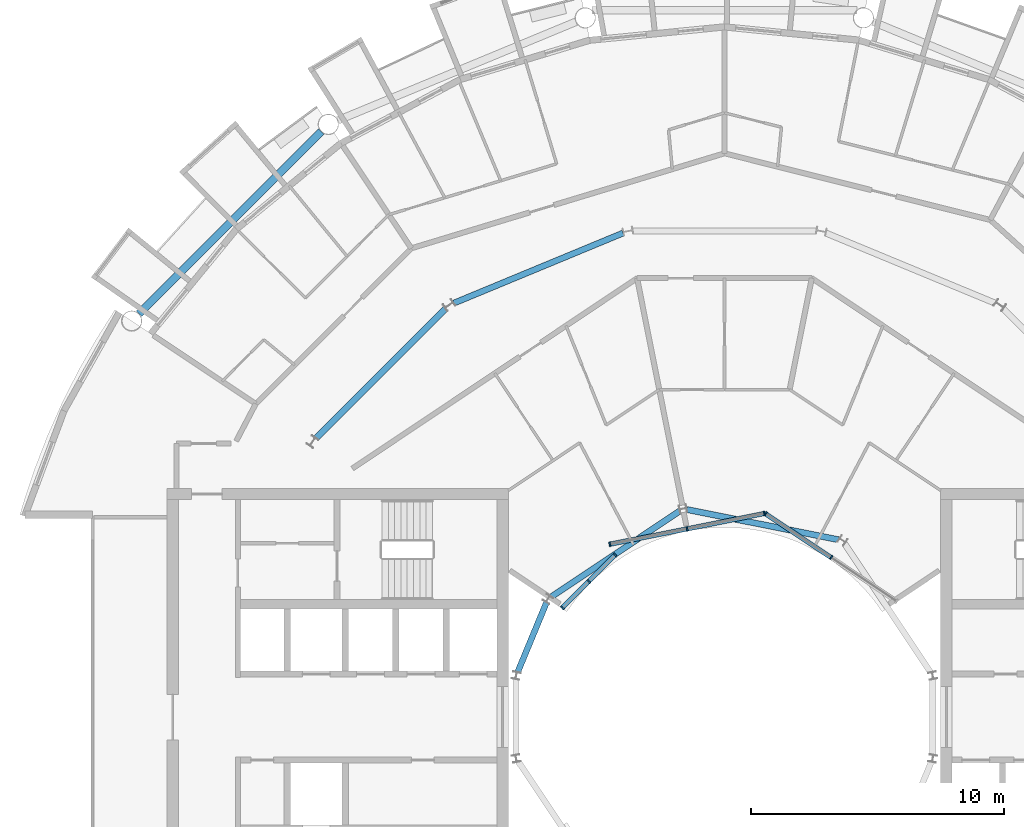
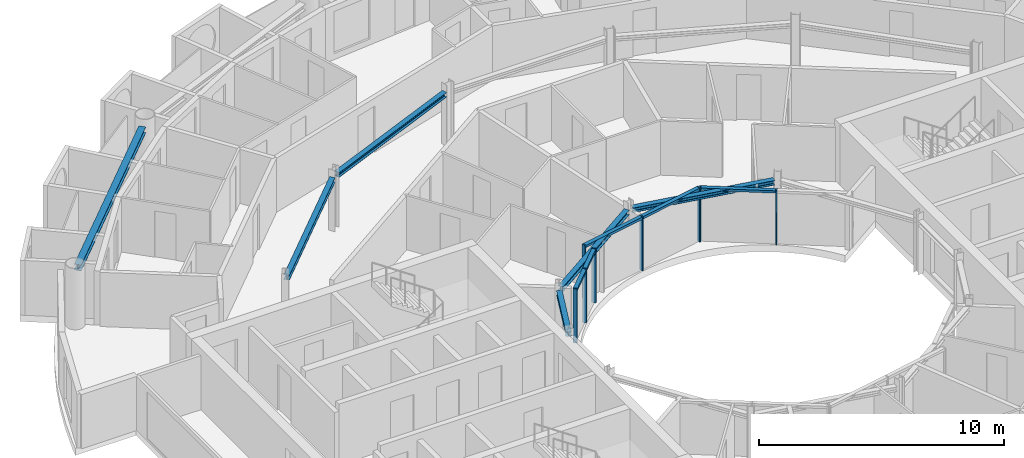
# One storey, part 9 of 28: 13 members, 6 beams, 3 elements without a shape of their own.
"""IFC4 building model written with IfcOpenShell, lengths in metres."""

from ifc_helpers import new_model, si_unit, direction, frame, origin, origin_2d, place, context, subcontext, project, spatial, rectangle, i_section, extrude, material, layer, layer_set, material_profile, profile_set, type_object, element, aggregate, save


model = new_model("IFC4")

# Units and contexts
model_context = context("Model", 3, precision=1e-05, world=origin(), true_north=direction((0.0, 1.0)))
body_context = subcontext(model_context, "Body", "Model", "MODEL_VIEW")
ifc_project = project(units=[si_unit("LENGTHUNIT", "METRE"), si_unit("AREAUNIT", "SQUARE_METRE"), si_unit("VOLUMEUNIT", "CUBIC_METRE"), si_unit("PLANEANGLEUNIT", "RADIAN"), si_unit("MASSUNIT", "GRAM", prefix="KILO")], contexts=[model_context])

# Site, building, storey
site_placement = place(None, origin())
site = spatial("IfcSite", under=ifc_project, at=site_placement, CompositionType="ELEMENT")
building_placement = place(site_placement, origin())
building = spatial("IfcBuilding", under=site, at=building_placement, Name="Maasbend Ring Residences", CompositionType="ELEMENT")
storey_placement = place(building_placement, frame((0.0, 0.0, 196.300048828125)))
storey = spatial("IfcBuildingStorey", under=building, at=storey_placement, Name="L56", CompositionType="ELEMENT", Elevation=196.300048828125)

# Curtain wall, members
ifc_material_1 = material(Name="Aluminium and clear glass", Category="aluminium")
ifc_layer = layer(ifc_material_1, 0.179931640625)
ifc_layer_set = layer_set([ifc_layer], Name="CW-W")
curtain_wall_type = type_object("IfcCurtainWallType", Name="CW-W", PredefinedType="NOTDEFINED", material=ifc_layer_set)
curtain_wall_1_placement = place(storey_placement, origin())
curtain_wall_1 = element("IfcCurtainWall", 1, at=curtain_wall_1_placement, inside=storey, type_object=curtain_wall_type, Name="Well curtain wall N1", PredefinedType="NOTDEFINED")
ifc_material_2 = material(Name="Aluminium 6063-T6", Category="aluminium")
ifc_material_profile_1 = material_profile(ifc_material_2, rectangle(XDim=0.179931640625, YDim=0.06005859375, at=origin_2d()), Name="AL 180x60")
ifc_profile_set_1 = profile_set([ifc_material_profile_1], Name="Aluminium 6063-T6")
member_type_1 = type_object("IfcMemberType", Name="CWM-W", PredefinedType="MULLION", material=ifc_profile_set_1)
member_1_placement = place(storey_placement, frame((4.216796875, 6.310791015625, 0.0), z_axis=(0.0, 0.0, 1.0), x_axis=(-0.55557023302, -0.831469612303, 0.0)))
member_1 = element("IfcMember", 2, at=member_1_placement, type_object=member_type_1, Name="Mullion well face", PredefinedType="MULLION", context=body_context, shape_type="SweptSolid", body=[
    extrude(rectangle(XDim=0.179931640625, YDim=0.06005859375, at=origin_2d()), origin(), (0.0, 0.0, 1.0), 2.699951171875),
])
member_2_placement = place(storey_placement, frame((1.627685546875, 8.040771484375, 0.0), z_axis=(0.0, 0.0, 1.0), x_axis=(-0.55557023302, -0.831469612303, 0.0)))
member_2 = element("IfcMember", 3, at=member_2_placement, type_object=member_type_1, Name="Mullion well face", PredefinedType="MULLION", context=body_context, shape_type="SweptSolid", body=[
    extrude(rectangle(XDim=0.179931640625, YDim=0.06005859375, at=origin_2d()), origin(), (0.0, 0.0, 1.0), 2.699951171875),
])

curtain_wall_2_placement = place(storey_placement, origin())
curtain_wall_2 = element("IfcCurtainWall", 4, at=curtain_wall_2_placement, inside=storey, type_object=curtain_wall_type, Name="Well curtain wall N2", PredefinedType="NOTDEFINED")
member_3_placement = place(storey_placement, frame((1.5732421875, 8.0517578125, 0.0), z_axis=(0.0, 0.0, 1.0), x_axis=(0.195090322016, -0.980785280403, 0.0)))
member_3 = element("IfcMember", 5, at=member_3_placement, type_object=member_type_1, Name="Mullion well face", PredefinedType="MULLION", context=body_context, shape_type="SweptSolid", body=[
    extrude(rectangle(XDim=0.179931640625, YDim=0.06005859375, at=origin_2d()), origin(), (0.0, 0.0, 1.0), 2.699951171875),
])
member_4_placement = place(storey_placement, frame((-1.480712890625, 7.444091796875, 0.0), z_axis=(0.0, 0.0, 1.0), x_axis=(0.195090322016, -0.980785280403, 0.0)))
member_4 = element("IfcMember", 6, at=member_4_placement, type_object=member_type_1, Name="Mullion well face", PredefinedType="MULLION", context=body_context, shape_type="SweptSolid", body=[
    extrude(rectangle(XDim=0.179931640625, YDim=0.06005859375, at=origin_2d()), origin(), (0.0, 0.0, 1.0), 2.699951171875),
])
member_5_placement = place(storey_placement, frame((-4.53466796875, 6.836669921875, 0.0), z_axis=(0.0, 0.0, 1.0), x_axis=(0.195090322016, -0.980785280403, 0.0)))
member_5 = element("IfcMember", 7, at=member_5_placement, type_object=member_type_1, Name="Mullion well face", PredefinedType="MULLION", context=body_context, shape_type="SweptSolid", body=[
    extrude(rectangle(XDim=0.179931640625, YDim=0.06005859375, at=origin_2d()), origin(), (0.0, 0.0, 1.0), 2.699951171875),
])

curtain_wall_3_placement = place(storey_placement, origin())
curtain_wall_3 = element("IfcCurtainWall", 8, at=curtain_wall_3_placement, inside=storey, type_object=curtain_wall_type, Name="Well curtain wall N3", PredefinedType="NOTDEFINED")
member_6_placement = place(storey_placement, frame((-4.320556640625, 6.413330078125, 0.0), z_axis=(0.0, 0.0, 1.0), x_axis=(0.707106781187, -0.707106781187, 0.0)))
member_6 = element("IfcMember", 9, at=member_6_placement, type_object=member_type_1, Name="Mullion well face", PredefinedType="MULLION", context=body_context, shape_type="SweptSolid", body=[
    extrude(rectangle(XDim=0.179931640625, YDim=0.06005859375, at=origin_2d()), origin(), (0.0, 0.0, 1.0), 2.699951171875),
])
member_7_placement = place(storey_placement, frame((-5.366943359375, 5.366943359375, 0.0), z_axis=(0.0, 0.0, 1.0), x_axis=(0.707106781187, -0.707106781187, 0.0)))
member_7 = element("IfcMember", 10, at=member_7_placement, type_object=member_type_1, Name="Mullion well face", PredefinedType="MULLION", context=body_context, shape_type="SweptSolid", body=[
    extrude(rectangle(XDim=0.179931640625, YDim=0.06005859375, at=origin_2d()), origin(), (0.0, 0.0, 1.0), 2.699951171875),
])
member_8_placement = place(storey_placement, frame((-6.413330078125, 4.320556640625, 0.0), z_axis=(0.0, 0.0, 1.0), x_axis=(0.707106781187, -0.707106781187, 0.0)))
member_8 = element("IfcMember", 11, at=member_8_placement, type_object=member_type_1, Name="Mullion well face", PredefinedType="MULLION", context=body_context, shape_type="SweptSolid", body=[
    extrude(rectangle(XDim=0.179931640625, YDim=0.06005859375, at=origin_2d()), origin(), (0.0, 0.0, 1.0), 2.699951171875),
])

# Member
ifc_material_3 = material(Name="Aluminium 6063-T6", Category="aluminium")
ifc_material_profile_2 = material_profile(ifc_material_3, rectangle(XDim=0.179931640625, YDim=0.1201171875, at=origin_2d()), Name="AL 180x120")
ifc_profile_set_2 = profile_set([ifc_material_profile_2], Name="Aluminium 6063-T6")
member_type_2 = type_object("IfcMemberType", Name="CWT-W", PredefinedType="USERDEFINED", material=ifc_profile_set_2)
member_9_placement = place(storey_placement, frame((4.19189453125, 6.32763671875, 2.639892578125), z_axis=(-0.831496422459, 0.555530106689, 0.0), x_axis=(-0.555530106689, -0.831496422459, 0.0)))
member_9 = element("IfcMember", 12, at=member_9_placement, type_object=member_type_2, Name="Transom well face", ObjectType="TRANSOM", PredefinedType="USERDEFINED", context=body_context, shape_type="SweptSolid", body=[
    extrude(rectangle(XDim=0.179931640625, YDim=0.1201171875, at=origin_2d()), origin(), (0.0, 0.0, 1.0), 3.053955078125),
])

aggregate(curtain_wall_1, [member_1, member_2, member_9])

member_10_placement = place(storey_placement, frame((1.5439453125, 8.0458984375, 2.639892578125), z_axis=(-0.980776956105, -0.195132166424, 0.0), x_axis=(0.195132166424, -0.980776956105, 0.0)))
member_10 = element("IfcMember", 13, at=member_10_placement, type_object=member_type_2, Name="Transom well face", ObjectType="TRANSOM", PredefinedType="USERDEFINED", context=body_context, shape_type="SweptSolid", body=[
    extrude(rectangle(XDim=0.179931640625, YDim=0.1201171875, at=origin_2d()), origin(), (0.0, 0.0, 1.0), 3.053955078125),
])

member_11_placement = place(storey_placement, frame((-1.51025390625, 7.438232421875, 2.639892578125), z_axis=(-0.980789210404, -0.19507056353, 0.0), x_axis=(0.19507056353, -0.980789210404, 0.0)))
member_11 = element("IfcMember", 14, at=member_11_placement, type_object=member_type_2, Name="Transom well face", ObjectType="TRANSOM", PredefinedType="USERDEFINED", context=body_context, shape_type="SweptSolid", body=[
    extrude(rectangle(XDim=0.179931640625, YDim=0.1201171875, at=origin_2d()), origin(), (0.0, 0.0, 1.0), 3.0537109375),
])

aggregate(curtain_wall_2, [member_3, member_4, member_5, member_10, member_11])

member_12_placement = place(storey_placement, frame((-4.341796875, 6.39208984375, 2.639892578125), z_axis=(-0.707106781187, -0.707106781187, 0.0), x_axis=(0.707106781187, -0.707106781187, 0.0)))
member_12 = element("IfcMember", 15, at=member_12_placement, type_object=member_type_2, Name="Transom well face", ObjectType="TRANSOM", PredefinedType="USERDEFINED", context=body_context, shape_type="SweptSolid", body=[
    extrude(rectangle(XDim=0.179931640625, YDim=0.1201171875, at=origin_2d()), origin(), (0.0, 0.0, 1.0), 1.419677734375),
])

member_13_placement = place(storey_placement, frame((-5.38818359375, 5.345703125, 2.639892578125), z_axis=(-0.707106781187, -0.707106781187, 0.0), x_axis=(0.707106781187, -0.707106781187, 0.0)))
member_13 = element("IfcMember", 16, at=member_13_placement, type_object=member_type_2, Name="Transom well face", ObjectType="TRANSOM", PredefinedType="USERDEFINED", context=body_context, shape_type="SweptSolid", body=[
    extrude(rectangle(XDim=0.179931640625, YDim=0.1201171875, at=origin_2d()), origin(), (0.0, 0.0, 1.0), 1.419677734375),
])

aggregate(curtain_wall_3, [member_6, member_7, member_8, member_12, member_13])

# Beams
ifc_material_4 = material(Name="Steel S355J2", Category="steel")
ifc_material_profile_3 = material_profile(ifc_material_4, i_section(OverallWidth=0.239990234375, OverallDepth=0.22998046875, WebThickness=0.007568359375, FlangeThickness=0.011962890625, FilletRadius=0.02099609375, at=origin_2d()), Name="HEA 240")
ifc_profile_set_3 = profile_set([ifc_material_profile_3], Name="Steel S355J2")
beam_type_1 = type_object("IfcBeamType", Name="Corridor ring beam HEA 240", PredefinedType="BEAM", material=ifc_profile_set_3)
beam_1_placement = place(storey_placement, frame((-4.01220703125, 19.1455078125, 2.5849609375), z_axis=(-0.923865162022, -0.382718123952, 0.0), x_axis=(0.382718123952, -0.923865162022, 0.0)))
element("IfcBeam", 17, at=beam_1_placement, inside=storey, type_object=beam_type_1, Name="Corridor ring beam", PredefinedType="BEAM", context=body_context, shape_type="SweptSolid", body=[
    extrude(i_section(OverallWidth=0.239990234375, OverallDepth=0.22998046875, WebThickness=0.007568359375, FlangeThickness=0.011962890625, FilletRadius=0.02099609375, at=origin_2d()), origin(), (0.0, 0.0, 1.0), 7.23974609375),
])
beam_2_placement = place(storey_placement, frame((-11.033447265625, 16.152587890625, 2.5849609375), z_axis=(-0.707106781187, -0.707106781187, 0.0), x_axis=(0.707106781187, -0.707106781187, 0.0)))
element("IfcBeam", 18, at=beam_2_placement, inside=storey, type_object=beam_type_1, Name="Corridor ring beam", PredefinedType="BEAM", context=body_context, shape_type="SweptSolid", body=[
    extrude(i_section(OverallWidth=0.239990234375, OverallDepth=0.22998046875, WebThickness=0.007568359375, FlangeThickness=0.011962890625, FilletRadius=0.02099609375, at=origin_2d()), origin(), (0.0, 0.0, 1.0), 7.239501953125),
])
ifc_material_5 = material(Name="Steel S355J2", Category="steel")
ifc_material_profile_4 = material_profile(ifc_material_5, i_section(OverallWidth=0.300048828125, OverallDepth=0.300048828125, WebThickness=0.010986328125, FlangeThickness=0.01904296875, FilletRadius=0.027099609375, at=origin_2d()), Name="HEB 300")
ifc_profile_set_4 = profile_set([ifc_material_profile_4], Name="Steel S355J2")
beam_type_2 = type_object("IfcBeamType", Name="Spandrel ring beam HEB 300", PredefinedType="SPANDREL", material=ifc_profile_set_4)
beam_3_placement = place(storey_placement, frame((-15.95458984375, 23.159912109375, 2.550048828125), z_axis=(-0.707106781187, -0.707106781187, 0.0), x_axis=(0.707106781187, -0.707106781187, 0.0)))
element("IfcBeam", 19, at=beam_3_placement, inside=storey, type_object=beam_type_2, Name="Spandrel ring beam", PredefinedType="SPANDREL", context=body_context, shape_type="SweptSolid", body=[
    extrude(i_section(OverallWidth=0.300048828125, OverallDepth=0.300048828125, WebThickness=0.010986328125, FlangeThickness=0.01904296875, FilletRadius=0.027099609375, at=origin_2d()), origin(), (0.0, 0.0, 1.0), 10.18994140625),
])
ifc_material_6 = material(Name="Steel S355J2", Category="steel")
ifc_material_profile_5 = material_profile(ifc_material_6, i_section(OverallWidth=0.239990234375, OverallDepth=0.22998046875, WebThickness=0.007568359375, FlangeThickness=0.011962890625, FilletRadius=0.02099609375, at=origin_2d()), Name="HEA 240")
ifc_profile_set_5 = profile_set([ifc_material_profile_5], Name="Steel S355J2")
beam_type_3 = type_object("IfcBeamType", Name="Well edge beam HEA 240", PredefinedType="BEAM", material=ifc_profile_set_5)
for number, where, z_axis, x_axis, name in (
    (20, (4.512939453125, 7.014892578125, 2.5849609375), (-0.980782836869, 0.195102606089, 0.0), (-0.195102606089, -0.980782836869, 0.0), "Well edge beam"),
    (21, (-1.769287109375, 8.1513671875, 2.5849609375), (-0.831460175376, -0.555584356119, 0.0), (0.555584356119, -0.831460175376, 0.0), "Well edge beam"),
):
    element("IfcBeam", number, at=place(storey_placement, frame(where, z_axis=z_axis, x_axis=x_axis)), inside=storey, type_object=beam_type_3, Name=name, PredefinedType="BEAM", context=body_context, shape_type="SweptSolid", body=[
        extrude(i_section(OverallWidth=0.239990234375, OverallDepth=0.22998046875, WebThickness=0.007568359375, FlangeThickness=0.011962890625, FilletRadius=0.02099609375, at=origin_2d()), origin(), (0.0, 0.0, 1.0), 6.115234375),
    ])
beam_4_placement = place(storey_placement, frame((-7.041015625, 4.5302734375, 2.5849609375), z_axis=(-0.382614534057, -0.923908068115, 0.0), x_axis=(0.923908068115, -0.382614534057, 0.0)))
element("IfcBeam", 22, at=beam_4_placement, inside=storey, type_object=beam_type_3, Name="Well edge beam", PredefinedType="BEAM", context=body_context, shape_type="SweptSolid", body=[
    extrude(i_section(OverallWidth=0.239990234375, OverallDepth=0.22998046875, WebThickness=0.007568359375, FlangeThickness=0.011962890625, FilletRadius=0.02099609375, at=origin_2d()), origin(), (0.0, 0.0, 1.0), 2.981689453125),
])

save(model, "model.ifc")
